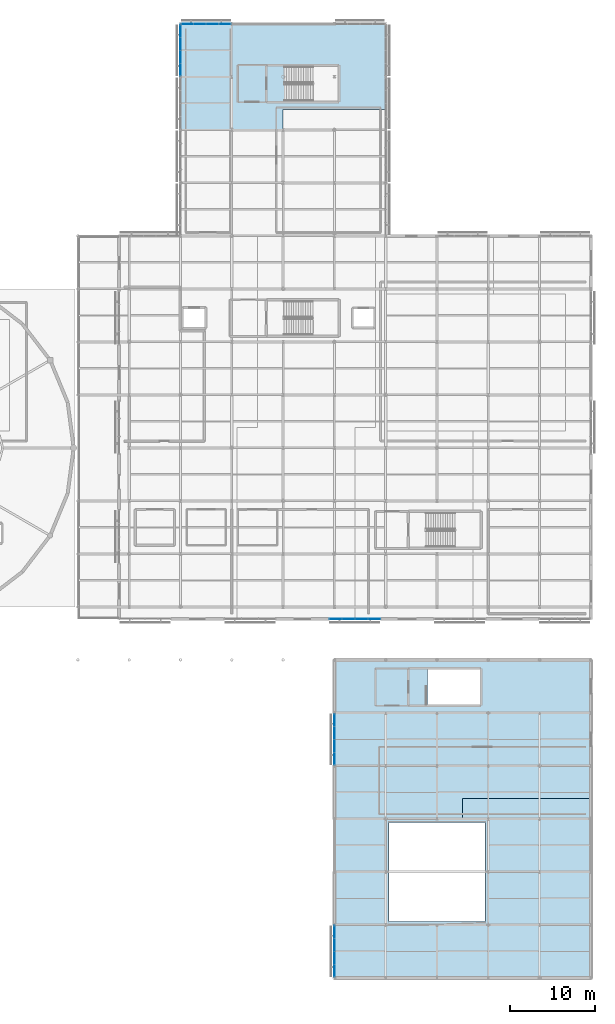
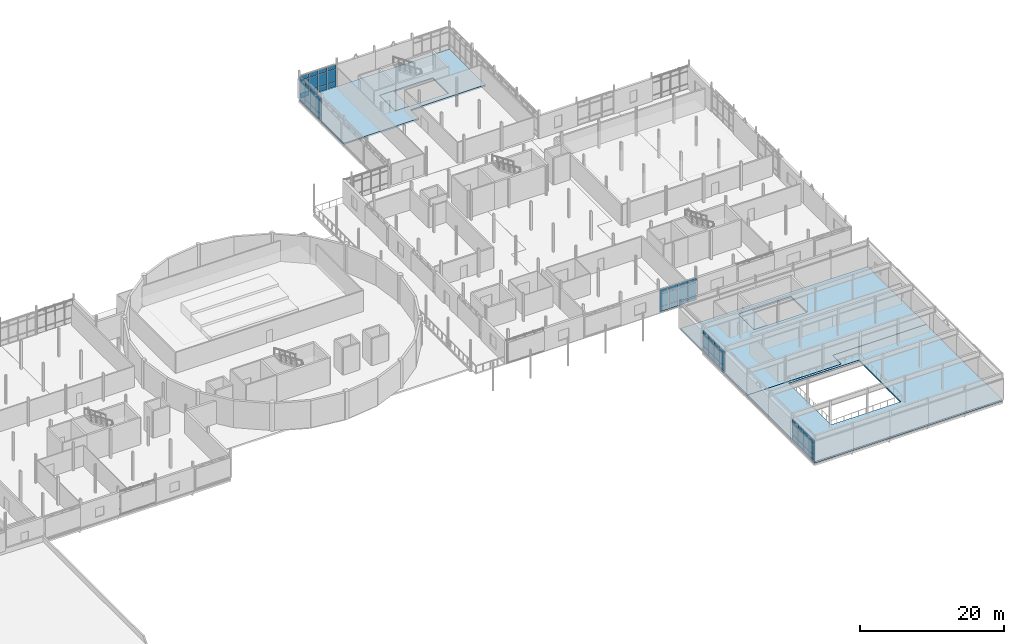
# One storey, part 53 of 84: 60 plates, 5 slabs, 5 elements without a shape of their own.
"""IFC4 building model written with IfcOpenShell, lengths in metres."""

from ifc_helpers import new_model, si_unit, direction, frame, origin, origin_2d, place, context, subcontext, project, spatial, polyline, rectangle, outline, extrude, material, layer, layer_set, type_object, element, aggregate, save


model = new_model("IFC4")

# Units and contexts
model_context = context("Model", 3, precision=1e-05, world=origin(), true_north=direction((0.0, 1.0)))
body_context = subcontext(model_context, "Body", "Model", "MODEL_VIEW")
ifc_project = project(units=[si_unit("LENGTHUNIT", "METRE"), si_unit("AREAUNIT", "SQUARE_METRE"), si_unit("VOLUMEUNIT", "CUBIC_METRE"), si_unit("PLANEANGLEUNIT", "RADIAN"), si_unit("MASSUNIT", "GRAM", prefix="KILO")], contexts=[model_context])

# Site, building, storey
site_placement = place(None, origin())
site = spatial("IfcSite", under=ifc_project, at=site_placement, CompositionType="ELEMENT")
building_placement = place(site_placement, origin())
building = spatial("IfcBuilding", under=site, at=building_placement, Name="Mirzam Square Science Centre", CompositionType="ELEMENT")
storey_placement = place(building_placement, frame((0.0, 0.0, 10.800048828125)))
storey = spatial("IfcBuildingStorey", under=building, at=storey_placement, Name="L02", CompositionType="ELEMENT", Elevation=10.800048828125)

# Curtain wall, plates
ifc_material_1 = material(Name="Anodised Aluminium and Low-E Solar Glass", Category="aluminium")
ifc_layer_1 = layer(ifc_material_1, 0.179931640625)
ifc_layer_set_1 = layer_set([ifc_layer_1], Name="CW-PARK-A")
curtain_wall_type_1 = type_object("IfcCurtainWallType", Name="CW-PARK-A", PredefinedType="USERDEFINED", material=ifc_layer_set_1)
curtain_wall_1_placement = place(storey_placement, origin())
curtain_wall_1 = element("IfcCurtainWall", 1, at=curtain_wall_1_placement, inside=storey, type_object=curtain_wall_type_1, Name="L02 unitised curtain wall 63", ObjectType="UNITISED CURTAIN WALL", PredefinedType="USERDEFINED")
ifc_material_2 = material(Name="Ceramic-Fritted Courtyard Solar Glass", Category="glass")
ifc_layer_2 = layer(ifc_material_2, 0.02392578125)
ifc_layer_set_2 = layer_set([ifc_layer_2], Name="CWP-GLZ-24")
plate_type_1 = type_object("IfcPlateType", Name="CWP-GLZ-24", PredefinedType="CURTAIN_PANEL", material=ifc_layer_set_2)
plate_1_placement = place(storey_placement, frame((132.0, 30.1650390625, 0.074951171875), z_axis=(0.0, 0.0, 1.0), x_axis=(0.0, -1.0, 0.0)))
plate_1 = element("IfcPlate", 2, at=plate_1_placement, type_object=plate_type_1, Name="CW-01 panel 1.1", PredefinedType="CURTAIN_PANEL", context=body_context, shape_type="SweptSolid", body=[
    extrude(rectangle(XDim=1.409912109375, YDim=0.02392578125, at=origin_2d()), origin(), (0.0, 0.0, 1.0), 0.78759765625),
])
plate_2_placement = place(storey_placement, frame((132.0, 30.1650390625, 0.9375), z_axis=(0.0, 0.0, 1.0), x_axis=(0.0, -1.0, 0.0)))
plate_2 = element("IfcPlate", 3, at=plate_2_placement, type_object=plate_type_1, Name="CW-01 panel 1.2", PredefinedType="CURTAIN_PANEL", context=body_context, shape_type="SweptSolid", body=[
    extrude(rectangle(XDim=1.409912109375, YDim=0.02392578125, at=origin_2d()), origin(), (0.0, 0.0, 1.0), 1.804931640625),
])
plate_3_placement = place(storey_placement, frame((132.0, 30.1650390625, 2.8173828125), z_axis=(0.0, 0.0, 1.0), x_axis=(0.0, -1.0, 0.0)))
plate_3 = element("IfcPlate", 4, at=plate_3_placement, type_object=plate_type_1, Name="CW-01 panel 1.3", PredefinedType="CURTAIN_PANEL", context=body_context, shape_type="SweptSolid", body=[
    extrude(rectangle(XDim=1.409912109375, YDim=0.02392578125, at=origin_2d()), origin(), (0.0, 0.0, 1.0), 0.6875),
])
plate_4_placement = place(storey_placement, frame((132.0, 28.6611328125, 0.074951171875), z_axis=(0.0, 0.0, 1.0), x_axis=(0.0, -1.0, 0.0)))
plate_4 = element("IfcPlate", 5, at=plate_4_placement, type_object=plate_type_1, Name="CW-01 panel 2.1", PredefinedType="CURTAIN_PANEL", context=body_context, shape_type="SweptSolid", body=[
    extrude(rectangle(XDim=1.447509765625, YDim=0.02392578125, at=origin_2d()), origin(), (0.0, 0.0, 1.0), 0.78759765625),
])
plate_5_placement = place(storey_placement, frame((132.0, 28.6611328125, 0.9375), z_axis=(0.0, 0.0, 1.0), x_axis=(0.0, -1.0, 0.0)))
plate_5 = element("IfcPlate", 6, at=plate_5_placement, type_object=plate_type_1, Name="CW-01 panel 2.2", PredefinedType="CURTAIN_PANEL", context=body_context, shape_type="SweptSolid", body=[
    extrude(rectangle(XDim=1.447509765625, YDim=0.02392578125, at=origin_2d()), origin(), (0.0, 0.0, 1.0), 1.804931640625),
])
plate_6_placement = place(storey_placement, frame((132.0, 28.6611328125, 2.8173828125), z_axis=(0.0, 0.0, 1.0), x_axis=(0.0, -1.0, 0.0)))
plate_6 = element("IfcPlate", 7, at=plate_6_placement, type_object=plate_type_1, Name="CW-01 panel 2.3", PredefinedType="CURTAIN_PANEL", context=body_context, shape_type="SweptSolid", body=[
    extrude(rectangle(XDim=1.447509765625, YDim=0.02392578125, at=origin_2d()), origin(), (0.0, 0.0, 1.0), 0.6875),
])
plate_7_placement = place(storey_placement, frame((132.0, 27.138671875, 0.074951171875), z_axis=(0.0, 0.0, 1.0), x_axis=(0.0, -1.0, 0.0)))
plate_7 = element("IfcPlate", 8, at=plate_7_placement, type_object=plate_type_1, Name="CW-01 panel 3.1", PredefinedType="CURTAIN_PANEL", context=body_context, shape_type="SweptSolid", body=[
    extrude(rectangle(XDim=1.447509765625, YDim=0.02392578125, at=origin_2d()), origin(), (0.0, 0.0, 1.0), 0.78759765625),
])
plate_8_placement = place(storey_placement, frame((132.0, 27.138671875, 0.9375), z_axis=(0.0, 0.0, 1.0), x_axis=(0.0, -1.0, 0.0)))
plate_8 = element("IfcPlate", 9, at=plate_8_placement, type_object=plate_type_1, Name="CW-01 panel 3.2", PredefinedType="CURTAIN_PANEL", context=body_context, shape_type="SweptSolid", body=[
    extrude(rectangle(XDim=1.447509765625, YDim=0.02392578125, at=origin_2d()), origin(), (0.0, 0.0, 1.0), 1.804931640625),
])
plate_9_placement = place(storey_placement, frame((132.0, 27.138671875, 2.8173828125), z_axis=(0.0, 0.0, 1.0), x_axis=(0.0, -1.0, 0.0)))
plate_9 = element("IfcPlate", 10, at=plate_9_placement, type_object=plate_type_1, Name="CW-01 panel 3.3", PredefinedType="CURTAIN_PANEL", context=body_context, shape_type="SweptSolid", body=[
    extrude(rectangle(XDim=1.447509765625, YDim=0.02392578125, at=origin_2d()), origin(), (0.0, 0.0, 1.0), 0.6875),
])
plate_10_placement = place(storey_placement, frame((132.0, 25.635009765625, 0.074951171875), z_axis=(0.0, 0.0, 1.0), x_axis=(0.0, -1.0, 0.0)))
plate_10 = element("IfcPlate", 11, at=plate_10_placement, type_object=plate_type_1, Name="CW-01 panel 4.1", PredefinedType="CURTAIN_PANEL", context=body_context, shape_type="SweptSolid", body=[
    extrude(rectangle(XDim=1.409912109375, YDim=0.02392578125, at=origin_2d()), origin(), (0.0, 0.0, 1.0), 0.78759765625),
])
plate_11_placement = place(storey_placement, frame((132.0, 25.635009765625, 0.9375), z_axis=(0.0, 0.0, 1.0), x_axis=(0.0, -1.0, 0.0)))
plate_11 = element("IfcPlate", 12, at=plate_11_placement, type_object=plate_type_1, Name="CW-01 panel 4.2", PredefinedType="CURTAIN_PANEL", context=body_context, shape_type="SweptSolid", body=[
    extrude(rectangle(XDim=1.409912109375, YDim=0.02392578125, at=origin_2d()), origin(), (0.0, 0.0, 1.0), 1.804931640625),
])
plate_12_placement = place(storey_placement, frame((132.0, 25.635009765625, 2.8173828125), z_axis=(0.0, 0.0, 1.0), x_axis=(0.0, -1.0, 0.0)))
plate_12 = element("IfcPlate", 13, at=plate_12_placement, type_object=plate_type_1, Name="CW-01 panel 4.3", PredefinedType="CURTAIN_PANEL", context=body_context, shape_type="SweptSolid", body=[
    extrude(rectangle(XDim=1.409912109375, YDim=0.02392578125, at=origin_2d()), origin(), (0.0, 0.0, 1.0), 0.6875),
])
aggregate(curtain_wall_1, [plate_1, plate_2, plate_3, plate_4, plate_5, plate_6, plate_7, plate_8, plate_9, plate_10, plate_11, plate_12])

ifc_layer_3 = layer(ifc_material_1, 0.179931640625)
ifc_layer_set_3 = layer_set([ifc_layer_3], Name="CW-LINK-A")
curtain_wall_type_2 = type_object("IfcCurtainWallType", Name="CW-LINK-A", PredefinedType="USERDEFINED", material=ifc_layer_set_3)
curtain_wall_2_placement = place(storey_placement, origin())
curtain_wall_2 = element("IfcCurtainWall", 14, at=curtain_wall_2_placement, inside=storey, type_object=curtain_wall_type_2, Name="L02 unitised curtain wall 102", ObjectType="UNITISED CURTAIN WALL", PredefinedType="USERDEFINED")
ifc_material_3 = material(Name="Laminated Low-Iron Observatory Solar Glass", Category="glass")
ifc_layer_4 = layer(ifc_material_3, 0.035888671875)
ifc_layer_set_4 = layer_set([ifc_layer_4], Name="CWP-GLZ-36")
plate_type_2 = type_object("IfcPlateType", Name="CWP-GLZ-36", PredefinedType="CURTAIN_PANEL", material=ifc_layer_set_4)
plate_13_placement = place(storey_placement, frame((132.157470703125, 42.0, 0.06494140625), z_axis=(0.0, 0.0, 1.0), x_axis=(1.0, 0.0, 0.0)))
plate_13 = element("IfcPlate", 15, at=plate_13_placement, type_object=plate_type_2, Name="CW-08 panel 1.1", PredefinedType="CURTAIN_PANEL", context=body_context, shape_type="SweptSolid", body=[
    extrude(rectangle(XDim=1.408447265625, YDim=0.035888671875, at=origin_2d()), origin(), (0.0, 0.0, 1.0), 0.802490234375),
])
plate_14_placement = place(storey_placement, frame((132.157470703125, 42.0, 0.9326171875), z_axis=(0.0, 0.0, 1.0), x_axis=(1.0, 0.0, 0.0)))
plate_14 = element("IfcPlate", 16, at=plate_14_placement, type_object=plate_type_2, Name="CW-08 panel 1.2", PredefinedType="CURTAIN_PANEL", context=body_context, shape_type="SweptSolid", body=[
    extrude(rectangle(XDim=1.408447265625, YDim=0.035888671875, at=origin_2d()), origin(), (0.0, 0.0, 1.0), 2.074951171875),
])
plate_15_placement = place(storey_placement, frame((132.157470703125, 42.0, 3.072265625), z_axis=(0.0, 0.0, 1.0), x_axis=(1.0, 0.0, 0.0)))
plate_15 = element("IfcPlate", 17, at=plate_15_placement, type_object=plate_type_2, Name="CW-08 panel 1.3", PredefinedType="CURTAIN_PANEL", context=body_context, shape_type="SweptSolid", body=[
    extrude(rectangle(XDim=1.408447265625, YDim=0.035888671875, at=origin_2d()), origin(), (0.0, 0.0, 1.0), 0.702392578125),
])
plate_16_placement = place(storey_placement, frame((133.64697265625, 42.0, 0.06494140625), z_axis=(0.0, 0.0, 1.0), x_axis=(1.0, 0.0, 0.0)))
plate_16 = element("IfcPlate", 18, at=plate_16_placement, type_object=plate_type_2, Name="CW-08 panel 2.1", PredefinedType="CURTAIN_PANEL", context=body_context, shape_type="SweptSolid", body=[
    extrude(rectangle(XDim=1.44091796875, YDim=0.035888671875, at=origin_2d()), origin(), (0.0, 0.0, 1.0), 0.802490234375),
])
plate_17_placement = place(storey_placement, frame((133.64697265625, 42.0, 0.9326171875), z_axis=(0.0, 0.0, 1.0), x_axis=(1.0, 0.0, 0.0)))
plate_17 = element("IfcPlate", 19, at=plate_17_placement, type_object=plate_type_2, Name="CW-08 panel 2.2", PredefinedType="CURTAIN_PANEL", context=body_context, shape_type="SweptSolid", body=[
    extrude(rectangle(XDim=1.44091796875, YDim=0.035888671875, at=origin_2d()), origin(), (0.0, 0.0, 1.0), 2.074951171875),
])
plate_18_placement = place(storey_placement, frame((133.64697265625, 42.0, 3.072265625), z_axis=(0.0, 0.0, 1.0), x_axis=(1.0, 0.0, 0.0)))
plate_18 = element("IfcPlate", 20, at=plate_18_placement, type_object=plate_type_2, Name="CW-08 panel 2.3", PredefinedType="CURTAIN_PANEL", context=body_context, shape_type="SweptSolid", body=[
    extrude(rectangle(XDim=1.44091796875, YDim=0.035888671875, at=origin_2d()), origin(), (0.0, 0.0, 1.0), 0.702392578125),
])
plate_19_placement = place(storey_placement, frame((135.15283203125, 42.0, 0.06494140625), z_axis=(0.0, 0.0, 1.0), x_axis=(1.0, 0.0, 0.0)))
plate_19 = element("IfcPlate", 21, at=plate_19_placement, type_object=plate_type_2, Name="CW-08 panel 3.1", PredefinedType="CURTAIN_PANEL", context=body_context, shape_type="SweptSolid", body=[
    extrude(rectangle(XDim=1.44091796875, YDim=0.035888671875, at=origin_2d()), origin(), (0.0, 0.0, 1.0), 0.802490234375),
])
plate_20_placement = place(storey_placement, frame((135.15283203125, 42.0, 0.9326171875), z_axis=(0.0, 0.0, 1.0), x_axis=(1.0, 0.0, 0.0)))
plate_20 = element("IfcPlate", 22, at=plate_20_placement, type_object=plate_type_2, Name="CW-08 panel 3.2", PredefinedType="CURTAIN_PANEL", context=body_context, shape_type="SweptSolid", body=[
    extrude(rectangle(XDim=1.44091796875, YDim=0.035888671875, at=origin_2d()), origin(), (0.0, 0.0, 1.0), 2.074951171875),
])
plate_21_placement = place(storey_placement, frame((135.15283203125, 42.0, 3.072265625), z_axis=(0.0, 0.0, 1.0), x_axis=(1.0, 0.0, 0.0)))
plate_21 = element("IfcPlate", 23, at=plate_21_placement, type_object=plate_type_2, Name="CW-08 panel 3.3", PredefinedType="CURTAIN_PANEL", context=body_context, shape_type="SweptSolid", body=[
    extrude(rectangle(XDim=1.44091796875, YDim=0.035888671875, at=origin_2d()), origin(), (0.0, 0.0, 1.0), 0.702392578125),
])
plate_22_placement = place(storey_placement, frame((136.642578125, 42.0, 0.06494140625), z_axis=(0.0, 0.0, 1.0), x_axis=(1.0, 0.0, 0.0)))
plate_22 = element("IfcPlate", 24, at=plate_22_placement, type_object=plate_type_2, Name="CW-08 panel 4.1", PredefinedType="CURTAIN_PANEL", context=body_context, shape_type="SweptSolid", body=[
    extrude(rectangle(XDim=1.408447265625, YDim=0.035888671875, at=origin_2d()), origin(), (0.0, 0.0, 1.0), 0.802490234375),
])
plate_23_placement = place(storey_placement, frame((136.642578125, 42.0, 0.9326171875), z_axis=(0.0, 0.0, 1.0), x_axis=(1.0, 0.0, 0.0)))
plate_23 = element("IfcPlate", 25, at=plate_23_placement, type_object=plate_type_2, Name="CW-08 panel 4.2", PredefinedType="CURTAIN_PANEL", context=body_context, shape_type="SweptSolid", body=[
    extrude(rectangle(XDim=1.408447265625, YDim=0.035888671875, at=origin_2d()), origin(), (0.0, 0.0, 1.0), 2.074951171875),
])
plate_24_placement = place(storey_placement, frame((136.642578125, 42.0, 3.072265625), z_axis=(0.0, 0.0, 1.0), x_axis=(1.0, 0.0, 0.0)))
plate_24 = element("IfcPlate", 26, at=plate_24_placement, type_object=plate_type_2, Name="CW-08 panel 4.3", PredefinedType="CURTAIN_PANEL", context=body_context, shape_type="SweptSolid", body=[
    extrude(rectangle(XDim=1.408447265625, YDim=0.035888671875, at=origin_2d()), origin(), (0.0, 0.0, 1.0), 0.702392578125),
])
aggregate(curtain_wall_2, [plate_13, plate_14, plate_15, plate_16, plate_17, plate_18, plate_19, plate_20, plate_21, plate_22, plate_23, plate_24])

ifc_layer_5 = layer(ifc_material_1, 0.199951171875)
ifc_layer_set_5 = layer_set([ifc_layer_5], Name="CW-EAST-A")
curtain_wall_type_3 = type_object("IfcCurtainWallType", Name="CW-EAST-A", PredefinedType="USERDEFINED", material=ifc_layer_set_5)
curtain_wall_3_placement = place(storey_placement, origin())
curtain_wall_3 = element("IfcCurtainWall", 27, at=curtain_wall_3_placement, inside=storey, type_object=curtain_wall_type_3, Name="L02 unitised curtain wall 62", ObjectType="UNITISED CURTAIN WALL", PredefinedType="USERDEFINED")
ifc_material_4 = material(Name="Acoustic Laminated Solar Spandrel Glass", Category="glass")
ifc_layer_6 = layer(ifc_material_4, 0.0400390625)
ifc_layer_set_6 = layer_set([ifc_layer_6], Name="CWP-GLZ-40")
plate_type_3 = type_object("IfcPlateType", Name="CWP-GLZ-40", PredefinedType="CURTAIN_PANEL", material=ifc_layer_set_6)
plate_25_placement = place(storey_placement, frame((132.0, 5.367431640625, 0.06494140625), z_axis=(0.0, 0.0, 1.0), x_axis=(0.0, -1.0, 0.0)))
plate_25 = element("IfcPlate", 28, at=plate_25_placement, type_object=plate_type_3, Name="CW-05 panel 1.1", PredefinedType="CURTAIN_PANEL", context=body_context, shape_type="SweptSolid", body=[
    extrude(rectangle(XDim=1.425048828125, YDim=0.0400390625, at=origin_2d()), origin(), (0.0, 0.0, 1.0), 0.802490234375),
])
plate_26_placement = place(storey_placement, frame((132.0, 5.367431640625, 0.932373046875), z_axis=(0.0, 0.0, 1.0), x_axis=(0.0, -1.0, 0.0)))
plate_26 = element("IfcPlate", 29, at=plate_26_placement, type_object=plate_type_3, Name="CW-05 panel 1.2", PredefinedType="CURTAIN_PANEL", context=body_context, shape_type="SweptSolid", body=[
    extrude(rectangle(XDim=1.425048828125, YDim=0.0400390625, at=origin_2d()), origin(), (0.0, 0.0, 1.0), 1.81494140625),
])
plate_27_placement = place(storey_placement, frame((132.0, 5.367431640625, 2.8125), z_axis=(0.0, 0.0, 1.0), x_axis=(0.0, -1.0, 0.0)))
plate_27 = element("IfcPlate", 30, at=plate_27_placement, type_object=plate_type_3, Name="CW-05 panel 1.3", PredefinedType="CURTAIN_PANEL", context=body_context, shape_type="SweptSolid", body=[
    extrude(rectangle(XDim=1.425048828125, YDim=0.0400390625, at=origin_2d()), origin(), (0.0, 0.0, 1.0), 0.702392578125),
])
plate_28_placement = place(storey_placement, frame((132.0, 3.861328125, 0.06494140625), z_axis=(0.0, 0.0, 1.0), x_axis=(0.0, -1.0, 0.0)))
plate_28 = element("IfcPlate", 31, at=plate_28_placement, type_object=plate_type_3, Name="CW-05 panel 2.1", PredefinedType="CURTAIN_PANEL", context=body_context, shape_type="SweptSolid", body=[
    extrude(rectangle(XDim=1.45751953125, YDim=0.0400390625, at=origin_2d()), origin(), (0.0, 0.0, 1.0), 0.802490234375),
])
plate_29_placement = place(storey_placement, frame((132.0, 3.861328125, 0.932373046875), z_axis=(0.0, 0.0, 1.0), x_axis=(0.0, -1.0, 0.0)))
plate_29 = element("IfcPlate", 32, at=plate_29_placement, type_object=plate_type_3, Name="CW-05 panel 2.2", PredefinedType="CURTAIN_PANEL", context=body_context, shape_type="SweptSolid", body=[
    extrude(rectangle(XDim=1.45751953125, YDim=0.0400390625, at=origin_2d()), origin(), (0.0, 0.0, 1.0), 1.81494140625),
])
plate_30_placement = place(storey_placement, frame((132.0, 3.861328125, 2.8125), z_axis=(0.0, 0.0, 1.0), x_axis=(0.0, -1.0, 0.0)))
plate_30 = element("IfcPlate", 33, at=plate_30_placement, type_object=plate_type_3, Name="CW-05 panel 2.3", PredefinedType="CURTAIN_PANEL", context=body_context, shape_type="SweptSolid", body=[
    extrude(rectangle(XDim=1.45751953125, YDim=0.0400390625, at=origin_2d()), origin(), (0.0, 0.0, 1.0), 0.702392578125),
])
plate_31_placement = place(storey_placement, frame((132.0, 2.3388671875, 0.06494140625), z_axis=(0.0, 0.0, 1.0), x_axis=(0.0, -1.0, 0.0)))
plate_31 = element("IfcPlate", 34, at=plate_31_placement, type_object=plate_type_3, Name="CW-05 panel 3.1", PredefinedType="CURTAIN_PANEL", context=body_context, shape_type="SweptSolid", body=[
    extrude(rectangle(XDim=1.45751953125, YDim=0.0400390625, at=origin_2d()), origin(), (0.0, 0.0, 1.0), 0.802490234375),
])
plate_32_placement = place(storey_placement, frame((132.0, 2.3388671875, 0.932373046875), z_axis=(0.0, 0.0, 1.0), x_axis=(0.0, -1.0, 0.0)))
plate_32 = element("IfcPlate", 35, at=plate_32_placement, type_object=plate_type_3, Name="CW-05 panel 3.2", PredefinedType="CURTAIN_PANEL", context=body_context, shape_type="SweptSolid", body=[
    extrude(rectangle(XDim=1.45751953125, YDim=0.0400390625, at=origin_2d()), origin(), (0.0, 0.0, 1.0), 1.81494140625),
])
plate_33_placement = place(storey_placement, frame((132.0, 2.3388671875, 2.8125), z_axis=(0.0, 0.0, 1.0), x_axis=(0.0, -1.0, 0.0)))
plate_33 = element("IfcPlate", 36, at=plate_33_placement, type_object=plate_type_3, Name="CW-05 panel 3.3", PredefinedType="CURTAIN_PANEL", context=body_context, shape_type="SweptSolid", body=[
    extrude(rectangle(XDim=1.45751953125, YDim=0.0400390625, at=origin_2d()), origin(), (0.0, 0.0, 1.0), 0.702392578125),
])
plate_34_placement = place(storey_placement, frame((132.0, 0.83251953125, 0.06494140625), z_axis=(0.0, 0.0, 1.0), x_axis=(0.0, -1.0, 0.0)))
plate_34 = element("IfcPlate", 37, at=plate_34_placement, type_object=plate_type_3, Name="CW-05 panel 4.1", PredefinedType="CURTAIN_PANEL", context=body_context, shape_type="SweptSolid", body=[
    extrude(rectangle(XDim=1.425048828125, YDim=0.0400390625, at=origin_2d()), origin(), (0.0, 0.0, 1.0), 0.802490234375),
])
plate_35_placement = place(storey_placement, frame((132.0, 0.83251953125, 0.932373046875), z_axis=(0.0, 0.0, 1.0), x_axis=(0.0, -1.0, 0.0)))
plate_35 = element("IfcPlate", 38, at=plate_35_placement, type_object=plate_type_3, Name="CW-05 panel 4.2", PredefinedType="CURTAIN_PANEL", context=body_context, shape_type="SweptSolid", body=[
    extrude(rectangle(XDim=1.425048828125, YDim=0.0400390625, at=origin_2d()), origin(), (0.0, 0.0, 1.0), 1.81494140625),
])
plate_36_placement = place(storey_placement, frame((132.0, 0.83251953125, 2.8125), z_axis=(0.0, 0.0, 1.0), x_axis=(0.0, -1.0, 0.0)))
plate_36 = element("IfcPlate", 39, at=plate_36_placement, type_object=plate_type_3, Name="CW-05 panel 4.3", PredefinedType="CURTAIN_PANEL", context=body_context, shape_type="SweptSolid", body=[
    extrude(rectangle(XDim=1.425048828125, YDim=0.0400390625, at=origin_2d()), origin(), (0.0, 0.0, 1.0), 0.702392578125),
])
aggregate(curtain_wall_3, [plate_25, plate_26, plate_27, plate_28, plate_29, plate_30, plate_31, plate_32, plate_33, plate_34, plate_35, plate_36])

ifc_layer_7 = layer(ifc_material_1, 0.159912109375)
ifc_layer_set_7 = layer_set([ifc_layer_7], Name="CW-COURT-B")
curtain_wall_type_4 = type_object("IfcCurtainWallType", Name="CW-COURT-B", PredefinedType="USERDEFINED", material=ifc_layer_set_7)
curtain_wall_4_placement = place(storey_placement, origin())
curtain_wall_4 = element("IfcCurtainWall", 40, at=curtain_wall_4_placement, inside=storey, type_object=curtain_wall_type_4, Name="L02 unitised curtain wall 113", ObjectType="UNITISED CURTAIN WALL", PredefinedType="USERDEFINED")
plate_37_placement = place(storey_placement, frame((119.1923828125, 111.60009765625, 0.06494140625), z_axis=(0.0, 0.0, 1.0), x_axis=(-1.0, 0.0, 0.0)))
plate_37 = element("IfcPlate", 41, at=plate_37_placement, type_object=plate_type_3, Name="CW-04 panel 1.1", PredefinedType="CURTAIN_PANEL", context=body_context, shape_type="SweptSolid", body=[
    extrude(rectangle(XDim=1.375, YDim=0.0400390625, at=origin_2d()), origin(), (0.0, 0.0, 1.0), 0.802490234375),
])
plate_38_placement = place(storey_placement, frame((119.1923828125, 111.60009765625, 0.9326171875), z_axis=(0.0, 0.0, 1.0), x_axis=(-1.0, 0.0, 0.0)))
plate_38 = element("IfcPlate", 42, at=plate_38_placement, type_object=plate_type_3, Name="CW-04 panel 1.2", PredefinedType="CURTAIN_PANEL", context=body_context, shape_type="SweptSolid", body=[
    extrude(rectangle(XDim=1.375, YDim=0.0400390625, at=origin_2d()), origin(), (0.0, 0.0, 1.0), 2.074951171875),
])
plate_39_placement = place(storey_placement, frame((119.1923828125, 111.60009765625, 3.072265625), z_axis=(0.0, 0.0, 1.0), x_axis=(-1.0, 0.0, 0.0)))
plate_39 = element("IfcPlate", 43, at=plate_39_placement, type_object=plate_type_3, Name="CW-04 panel 1.3", PredefinedType="CURTAIN_PANEL", context=body_context, shape_type="SweptSolid", body=[
    extrude(rectangle(XDim=1.375, YDim=0.0400390625, at=origin_2d()), origin(), (0.0, 0.0, 1.0), 0.702392578125),
])
plate_40_placement = place(storey_placement, frame((117.736328125, 111.60009765625, 0.06494140625), z_axis=(0.0, 0.0, 1.0), x_axis=(-1.0, 0.0, 0.0)))
plate_40 = element("IfcPlate", 44, at=plate_40_placement, type_object=plate_type_3, Name="CW-04 panel 2.1", PredefinedType="CURTAIN_PANEL", context=body_context, shape_type="SweptSolid", body=[
    extrude(rectangle(XDim=1.407470703125, YDim=0.0400390625, at=origin_2d()), origin(), (0.0, 0.0, 1.0), 0.802490234375),
])
plate_41_placement = place(storey_placement, frame((117.736328125, 111.60009765625, 0.9326171875), z_axis=(0.0, 0.0, 1.0), x_axis=(-1.0, 0.0, 0.0)))
plate_41 = element("IfcPlate", 45, at=plate_41_placement, type_object=plate_type_3, Name="CW-04 panel 2.2", PredefinedType="CURTAIN_PANEL", context=body_context, shape_type="SweptSolid", body=[
    extrude(rectangle(XDim=1.407470703125, YDim=0.0400390625, at=origin_2d()), origin(), (0.0, 0.0, 1.0), 2.074951171875),
])
plate_42_placement = place(storey_placement, frame((117.736328125, 111.60009765625, 3.072265625), z_axis=(0.0, 0.0, 1.0), x_axis=(-1.0, 0.0, 0.0)))
plate_42 = element("IfcPlate", 46, at=plate_42_placement, type_object=plate_type_3, Name="CW-04 panel 2.3", PredefinedType="CURTAIN_PANEL", context=body_context, shape_type="SweptSolid", body=[
    extrude(rectangle(XDim=1.407470703125, YDim=0.0400390625, at=origin_2d()), origin(), (0.0, 0.0, 1.0), 0.702392578125),
])
plate_43_placement = place(storey_placement, frame((116.263671875, 111.60009765625, 0.06494140625), z_axis=(0.0, 0.0, 1.0), x_axis=(-1.0, 0.0, 0.0)))
plate_43 = element("IfcPlate", 47, at=plate_43_placement, type_object=plate_type_3, Name="CW-04 panel 3.1", PredefinedType="CURTAIN_PANEL", context=body_context, shape_type="SweptSolid", body=[
    extrude(rectangle(XDim=1.407470703125, YDim=0.0400390625, at=origin_2d()), origin(), (0.0, 0.0, 1.0), 0.802490234375),
])
plate_44_placement = place(storey_placement, frame((116.263671875, 111.60009765625, 0.9326171875), z_axis=(0.0, 0.0, 1.0), x_axis=(-1.0, 0.0, 0.0)))
plate_44 = element("IfcPlate", 48, at=plate_44_placement, type_object=plate_type_3, Name="CW-04 panel 3.2", PredefinedType="CURTAIN_PANEL", context=body_context, shape_type="SweptSolid", body=[
    extrude(rectangle(XDim=1.407470703125, YDim=0.0400390625, at=origin_2d()), origin(), (0.0, 0.0, 1.0), 2.074951171875),
])
plate_45_placement = place(storey_placement, frame((116.263671875, 111.60009765625, 3.072265625), z_axis=(0.0, 0.0, 1.0), x_axis=(-1.0, 0.0, 0.0)))
plate_45 = element("IfcPlate", 49, at=plate_45_placement, type_object=plate_type_3, Name="CW-04 panel 3.3", PredefinedType="CURTAIN_PANEL", context=body_context, shape_type="SweptSolid", body=[
    extrude(rectangle(XDim=1.407470703125, YDim=0.0400390625, at=origin_2d()), origin(), (0.0, 0.0, 1.0), 0.702392578125),
])
plate_46_placement = place(storey_placement, frame((114.8076171875, 111.60009765625, 0.06494140625), z_axis=(0.0, 0.0, 1.0), x_axis=(-1.0, 0.0, 0.0)))
plate_46 = element("IfcPlate", 50, at=plate_46_placement, type_object=plate_type_3, Name="CW-04 panel 4.1", PredefinedType="CURTAIN_PANEL", context=body_context, shape_type="SweptSolid", body=[
    extrude(rectangle(XDim=1.375, YDim=0.0400390625, at=origin_2d()), origin(), (0.0, 0.0, 1.0), 0.802490234375),
])
plate_47_placement = place(storey_placement, frame((114.8076171875, 111.60009765625, 0.9326171875), z_axis=(0.0, 0.0, 1.0), x_axis=(-1.0, 0.0, 0.0)))
plate_47 = element("IfcPlate", 51, at=plate_47_placement, type_object=plate_type_3, Name="CW-04 panel 4.2", PredefinedType="CURTAIN_PANEL", context=body_context, shape_type="SweptSolid", body=[
    extrude(rectangle(XDim=1.375, YDim=0.0400390625, at=origin_2d()), origin(), (0.0, 0.0, 1.0), 2.074951171875),
])
plate_48_placement = place(storey_placement, frame((114.8076171875, 111.60009765625, 3.072265625), z_axis=(0.0, 0.0, 1.0), x_axis=(-1.0, 0.0, 0.0)))
plate_48 = element("IfcPlate", 52, at=plate_48_placement, type_object=plate_type_3, Name="CW-04 panel 4.3", PredefinedType="CURTAIN_PANEL", context=body_context, shape_type="SweptSolid", body=[
    extrude(rectangle(XDim=1.375, YDim=0.0400390625, at=origin_2d()), origin(), (0.0, 0.0, 1.0), 0.702392578125),
])
aggregate(curtain_wall_4, [plate_37, plate_38, plate_39, plate_40, plate_41, plate_42, plate_43, plate_44, plate_45, plate_46, plate_47, plate_48])

curtain_wall_5_placement = place(storey_placement, origin())
curtain_wall_5 = element("IfcCurtainWall", 53, at=curtain_wall_5_placement, inside=storey, type_object=curtain_wall_type_3, Name="L02 unitised curtain wall 121", ObjectType="UNITISED CURTAIN WALL", PredefinedType="USERDEFINED")
plate_49_placement = place(storey_placement, frame((114.0, 110.767578125, 0.06494140625), z_axis=(0.0, 0.0, 1.0), x_axis=(0.0, -1.0, 0.0)))
plate_49 = element("IfcPlate", 54, at=plate_49_placement, type_object=plate_type_3, Name="CW-05 panel 1.1", PredefinedType="CURTAIN_PANEL", context=body_context, shape_type="SweptSolid", body=[
    extrude(rectangle(XDim=1.425048828125, YDim=0.0400390625, at=origin_2d()), origin(), (0.0, 0.0, 1.0), 0.802490234375),
])
plate_50_placement = place(storey_placement, frame((114.0, 110.767578125, 0.9326171875), z_axis=(0.0, 0.0, 1.0), x_axis=(0.0, -1.0, 0.0)))
plate_50 = element("IfcPlate", 55, at=plate_50_placement, type_object=plate_type_3, Name="CW-05 panel 1.2", PredefinedType="CURTAIN_PANEL", context=body_context, shape_type="SweptSolid", body=[
    extrude(rectangle(XDim=1.425048828125, YDim=0.0400390625, at=origin_2d()), origin(), (0.0, 0.0, 1.0), 2.074951171875),
])
plate_51_placement = place(storey_placement, frame((114.0, 110.767578125, 3.072265625), z_axis=(0.0, 0.0, 1.0), x_axis=(0.0, -1.0, 0.0)))
plate_51 = element("IfcPlate", 56, at=plate_51_placement, type_object=plate_type_3, Name="CW-05 panel 1.3", PredefinedType="CURTAIN_PANEL", context=body_context, shape_type="SweptSolid", body=[
    extrude(rectangle(XDim=1.425048828125, YDim=0.0400390625, at=origin_2d()), origin(), (0.0, 0.0, 1.0), 0.702392578125),
])
plate_52_placement = place(storey_placement, frame((114.0, 109.26123046875, 0.06494140625), z_axis=(0.0, 0.0, 1.0), x_axis=(0.0, -1.0, 0.0)))
plate_52 = element("IfcPlate", 57, at=plate_52_placement, type_object=plate_type_3, Name="CW-05 panel 2.1", PredefinedType="CURTAIN_PANEL", context=body_context, shape_type="SweptSolid", body=[
    extrude(rectangle(XDim=1.45751953125, YDim=0.0400390625, at=origin_2d()), origin(), (0.0, 0.0, 1.0), 0.802490234375),
])
plate_53_placement = place(storey_placement, frame((114.0, 109.26123046875, 0.9326171875), z_axis=(0.0, 0.0, 1.0), x_axis=(0.0, -1.0, 0.0)))
plate_53 = element("IfcPlate", 58, at=plate_53_placement, type_object=plate_type_3, Name="CW-05 panel 2.2", PredefinedType="CURTAIN_PANEL", context=body_context, shape_type="SweptSolid", body=[
    extrude(rectangle(XDim=1.45751953125, YDim=0.0400390625, at=origin_2d()), origin(), (0.0, 0.0, 1.0), 2.074951171875),
])
plate_54_placement = place(storey_placement, frame((114.0, 109.26123046875, 3.072265625), z_axis=(0.0, 0.0, 1.0), x_axis=(0.0, -1.0, 0.0)))
plate_54 = element("IfcPlate", 59, at=plate_54_placement, type_object=plate_type_3, Name="CW-05 panel 2.3", PredefinedType="CURTAIN_PANEL", context=body_context, shape_type="SweptSolid", body=[
    extrude(rectangle(XDim=1.45751953125, YDim=0.0400390625, at=origin_2d()), origin(), (0.0, 0.0, 1.0), 0.702392578125),
])
plate_55_placement = place(storey_placement, frame((114.0, 107.73876953125, 0.06494140625), z_axis=(0.0, 0.0, 1.0), x_axis=(0.0, -1.0, 0.0)))
plate_55 = element("IfcPlate", 60, at=plate_55_placement, type_object=plate_type_3, Name="CW-05 panel 3.1", PredefinedType="CURTAIN_PANEL", context=body_context, shape_type="SweptSolid", body=[
    extrude(rectangle(XDim=1.45751953125, YDim=0.0400390625, at=origin_2d()), origin(), (0.0, 0.0, 1.0), 0.802490234375),
])
plate_56_placement = place(storey_placement, frame((114.0, 107.73876953125, 0.9326171875), z_axis=(0.0, 0.0, 1.0), x_axis=(0.0, -1.0, 0.0)))
plate_56 = element("IfcPlate", 61, at=plate_56_placement, type_object=plate_type_3, Name="CW-05 panel 3.2", PredefinedType="CURTAIN_PANEL", context=body_context, shape_type="SweptSolid", body=[
    extrude(rectangle(XDim=1.45751953125, YDim=0.0400390625, at=origin_2d()), origin(), (0.0, 0.0, 1.0), 2.074951171875),
])
plate_57_placement = place(storey_placement, frame((114.0, 107.73876953125, 3.072265625), z_axis=(0.0, 0.0, 1.0), x_axis=(0.0, -1.0, 0.0)))
plate_57 = element("IfcPlate", 62, at=plate_57_placement, type_object=plate_type_3, Name="CW-05 panel 3.3", PredefinedType="CURTAIN_PANEL", context=body_context, shape_type="SweptSolid", body=[
    extrude(rectangle(XDim=1.45751953125, YDim=0.0400390625, at=origin_2d()), origin(), (0.0, 0.0, 1.0), 0.702392578125),
])
plate_58_placement = place(storey_placement, frame((114.0, 106.232421875, 0.06494140625), z_axis=(0.0, 0.0, 1.0), x_axis=(0.0, -1.0, 0.0)))
plate_58 = element("IfcPlate", 63, at=plate_58_placement, type_object=plate_type_3, Name="CW-05 panel 4.1", PredefinedType="CURTAIN_PANEL", context=body_context, shape_type="SweptSolid", body=[
    extrude(rectangle(XDim=1.425048828125, YDim=0.0400390625, at=origin_2d()), origin(), (0.0, 0.0, 1.0), 0.802490234375),
])
plate_59_placement = place(storey_placement, frame((114.0, 106.232421875, 0.9326171875), z_axis=(0.0, 0.0, 1.0), x_axis=(0.0, -1.0, 0.0)))
plate_59 = element("IfcPlate", 64, at=plate_59_placement, type_object=plate_type_3, Name="CW-05 panel 4.2", PredefinedType="CURTAIN_PANEL", context=body_context, shape_type="SweptSolid", body=[
    extrude(rectangle(XDim=1.425048828125, YDim=0.0400390625, at=origin_2d()), origin(), (0.0, 0.0, 1.0), 2.074951171875),
])
plate_60_placement = place(storey_placement, frame((114.0, 106.232421875, 3.072265625), z_axis=(0.0, 0.0, 1.0), x_axis=(0.0, -1.0, 0.0)))
plate_60 = element("IfcPlate", 65, at=plate_60_placement, type_object=plate_type_3, Name="CW-05 panel 4.3", PredefinedType="CURTAIN_PANEL", context=body_context, shape_type="SweptSolid", body=[
    extrude(rectangle(XDim=1.425048828125, YDim=0.0400390625, at=origin_2d()), origin(), (0.0, 0.0, 1.0), 0.702392578125),
])
aggregate(curtain_wall_5, [plate_49, plate_50, plate_51, plate_52, plate_53, plate_54, plate_55, plate_56, plate_57, plate_58, plate_59, plate_60])

# Slabs
ifc_material_5 = material(Name="Concrete C40/50", Category="concrete")
ifc_layer_8 = layer(ifc_material_5, 0.260009765625)
ifc_layer_set_8 = layer_set([ifc_layer_8], Name="SL-EXH-260")
slab_type_1 = type_object("IfcSlabType", Name="SL-EXH-260", PredefinedType="FLOOR", material=ifc_layer_set_8)
slab_1_placement = place(storey_placement, frame((0.0, 0.0, -0.260009765625)))
element("IfcSlab", 66, at=slab_1_placement, inside=storey, type_object=slab_type_1, Name="L02 se theatre 1 slab", PredefinedType="FLOOR", context=body_context, shape_type="SweptSolid", body=[
    extrude(outline(polyline([(147.0, 18.60009765625), (147.0, 21.0), (162.0, 21.0), (162.0, 0.0), (132.0, 0.0), (132.0, 18.60009765625), (147.0, 18.60009765625)]), holes=[polyline([(149.60009765625, 18.199951171875), (138.39990234375, 18.199951171875), (138.39990234375, 6.60009765625), (149.60009765625, 6.60009765625), (149.60009765625, 18.199951171875)])]), origin(), (0.0, 0.0, 1.0), 0.260009765625),
])
slab_2_placement = place(storey_placement, frame((0.0, 0.0, -0.260009765625)))
element("IfcSlab", 67, at=slab_2_placement, inside=storey, type_object=slab_type_1, Name="L02 se theatre 2 slab", PredefinedType="FLOOR", context=body_context, shape_type="SweptSolid", body=[
    extrude(outline(polyline([(132.0, 37.199951171875), (162.0, 37.199951171875), (162.0, 21.0048828125), (146.9951171875, 21.0048828125), (146.9951171875, 18.60498046875), (132.0, 18.60498046875), (132.0, 37.199951171875)]), holes=[polyline([(149.159912109375, 36.2099609375), (140.639892578125, 36.2099609375), (140.639892578125, 31.840087890625), (149.159912109375, 31.840087890625), (149.159912109375, 36.2099609375)])]), origin(), (0.0, 0.0, 1.0), 0.260009765625),
])
ifc_layer_9 = layer(ifc_material_5, 0.25)
ifc_layer_set_9 = layer_set([ifc_layer_9], Name="SL-LAB-250")
slab_type_2 = type_object("IfcSlabType", Name="SL-LAB-250", PredefinedType="FLOOR", material=ifc_layer_set_9)
slab_3_placement = place(storey_placement, frame((0.0, 0.0, -0.25)))
element("IfcSlab", 68, at=slab_3_placement, inside=storey, type_object=slab_type_2, Name="L02 ne obs base 2 slab", PredefinedType="FLOOR", context=body_context, shape_type="SweptSolid", body=[
    extrude(outline(polyline([(114.0, 111.60009765625), (138.0, 111.60009765625), (138.0, 101.60498046875), (125.9951171875, 101.60498046875), (125.9951171875, 99.205078125), (114.0, 99.205078125), (114.0, 111.60009765625)]), holes=[polyline([(132.56005859375, 106.77001953125), (124.0400390625, 106.77001953125), (124.0400390625, 102.43994140625), (132.56005859375, 102.43994140625), (132.56005859375, 106.77001953125)])]), origin(), (0.0, 0.0, 1.0), 0.25),
])
ifc_layer_10 = layer(ifc_material_5, 0.199951171875)
ifc_layer_set_10 = layer_set([ifc_layer_10], Name="SL-LANDING-200")
slab_type_3 = type_object("IfcSlabType", Name="SL-LANDING-200", PredefinedType="LANDING", material=ifc_layer_set_10)
slab_4_placement = place(storey_placement, frame((0.0, 0.0, -0.199951171875)))
element("IfcSlab", 69, at=slab_4_placement, inside=storey, type_object=slab_type_3, Name="L02 CORE-6 floor landing", PredefinedType="LANDING", context=body_context, shape_type="SweptSolid", body=[
    extrude(outline(polyline([(142.89990234375, 31.844970703125), (140.64501953125, 31.844970703125), (140.64501953125, 36.205078125), (142.89990234375, 36.205078125), (142.89990234375, 31.844970703125)])), origin(), (0.0, 0.0, 1.0), 0.199951171875),
])
slab_5_placement = place(storey_placement, frame((0.0, 0.0, -0.199951171875)))
element("IfcSlab", 70, at=slab_5_placement, inside=storey, type_object=slab_type_3, Name="L02 CORE-7 floor landing", PredefinedType="LANDING", context=body_context, shape_type="SweptSolid", body=[
    extrude(outline(polyline([(126.280029296875, 102.445068359375), (124.044921875, 102.445068359375), (124.044921875, 106.764892578125), (126.280029296875, 106.764892578125), (126.280029296875, 102.445068359375)])), origin(), (0.0, 0.0, 1.0), 0.199951171875),
])

save(model, "model.ifc")
